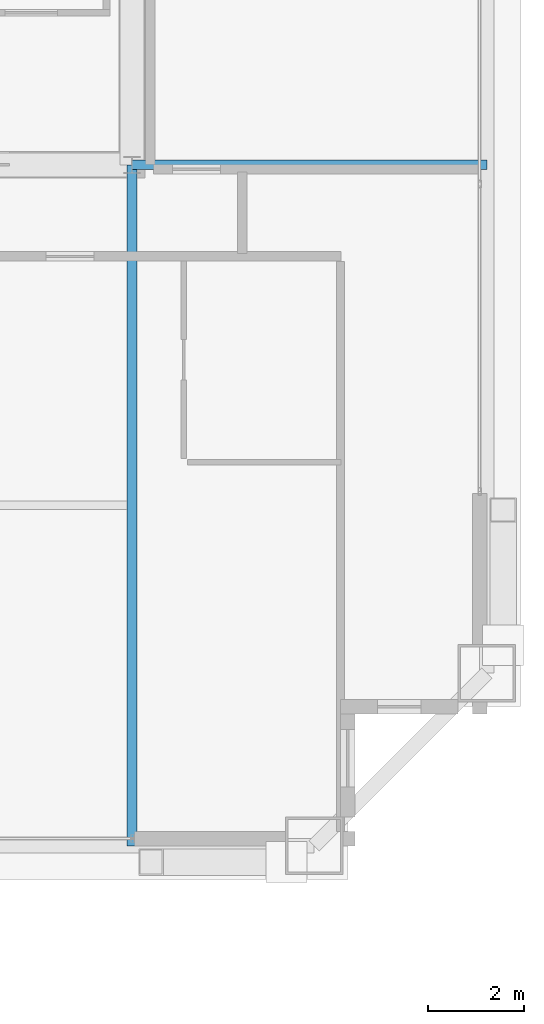
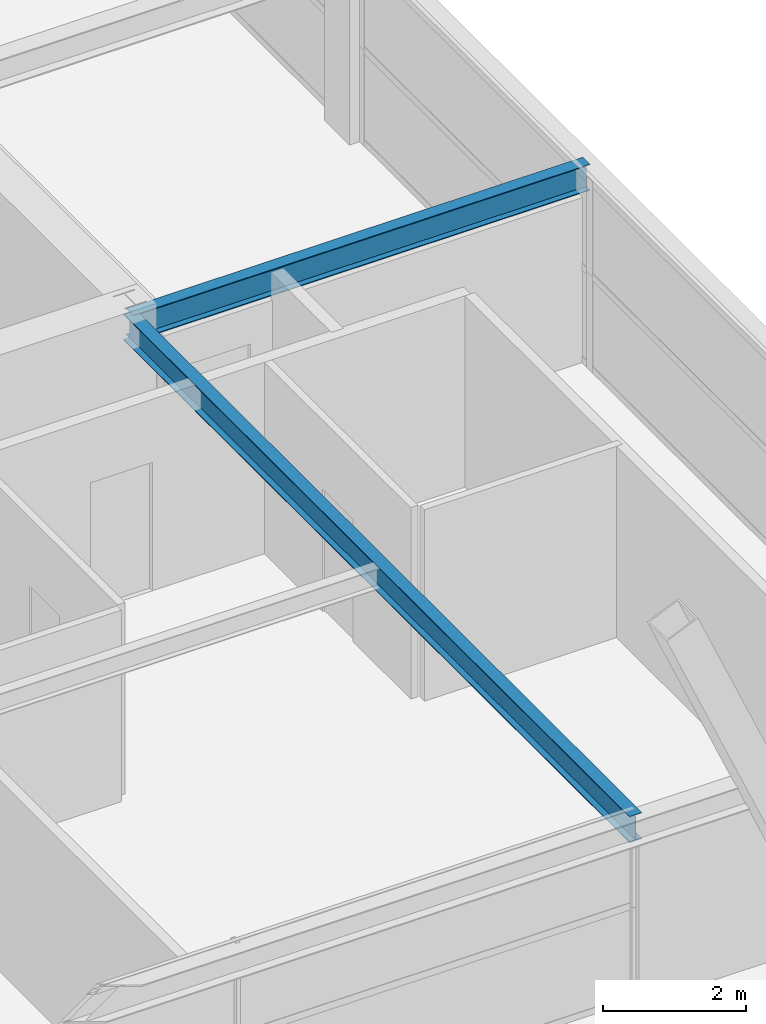
# One storey, part 15 of 35: 2 beams.
"""IFC4 building model written with IfcOpenShell, lengths in metres."""

from ifc_helpers import new_model, si_unit, direction, frame, origin, origin_2d, place, context, subcontext, project, spatial, i_section, extrude, source, transform, mapped, material, material_profile, profile_set, type_object, element, save


model = new_model("IFC4")

# Units and contexts
model_context = context("Model", 3, precision=1e-05, world=origin(), true_north=direction((0.0, 1.0)))
body_context = subcontext(model_context, "Body", "Model", "MODEL_VIEW")
ifc_project = project(units=[si_unit("LENGTHUNIT", "METRE"), si_unit("AREAUNIT", "SQUARE_METRE"), si_unit("VOLUMEUNIT", "CUBIC_METRE"), si_unit("PLANEANGLEUNIT", "RADIAN"), si_unit("MASSUNIT", "GRAM", prefix="KILO"), si_unit("THERMODYNAMICTEMPERATUREUNIT", "KELVIN"), si_unit("POWERUNIT", "WATT")], contexts=[model_context])

# Site, building, storey
site_placement = place(None, origin())
site = spatial("IfcSite", under=ifc_project, at=site_placement, CompositionType="ELEMENT")
building_placement = place(site_placement, origin())
building = spatial("IfcBuilding", under=site, at=building_placement, Name="Yuzanri Waterfront Tower", CompositionType="ELEMENT")
storey_placement = place(building_placement, frame((0.0, 0.0, 271.60009765625)))
storey = spatial("IfcBuildingStorey", under=building, at=storey_placement, Name="L72", CompositionType="ELEMENT", Elevation=271.60009765625)

# Beams
ifc_material = material(Name="Steel Q355B", Category="steel")
ifc_material_profile = material_profile(ifc_material, i_section(OverallWidth=0.199951171875, OverallDepth=0.449951171875, WebThickness=0.009033203125, FlangeThickness=0.013916015625, at=origin_2d()), Name="HN 450x200x9x14")
ifc_profile_set = profile_set([ifc_material_profile], Name="Steel Q355B")
beam_type = type_object("IfcBeamType", Name="Secondary Floor Beam Q355B HN 450x200", PredefinedType="BEAM", material=ifc_profile_set)
shared_shape_1 = source(origin(), body_context, "Body", "SweptSolid", [
    extrude(i_section(OverallWidth=0.199951171875, OverallDepth=0.449951171875, WebThickness=0.009033203125, FlangeThickness=0.013916015625, at=origin_2d()), origin(), (0.0, 0.0, 1.0), 14.199951171875),
])
beam_1_placement = place(storey_placement, frame((50.199951171875, 19.39990234375, 3.054931640625), z_axis=(0.0, -1.0, 0.0), x_axis=(1.0, 0.0, 0.0)))
element("IfcBeam", 1, at=beam_1_placement, inside=storey, type_object=beam_type, Name="L72 South-East Core Line Beam", PredefinedType="BEAM", context=body_context, shape_type="MappedRepresentation", body=[
    mapped(shared_shape_1, transform((0.0, 0.0, 0.0), scale=1.0)),
])
shared_shape_2 = source(origin(), body_context, "Body", "SweptSolid", [
    extrude(i_section(OverallWidth=0.199951171875, OverallDepth=0.449951171875, WebThickness=0.009033203125, FlangeThickness=0.013916015625, at=origin_2d()), origin(), (0.0, 0.0, 1.0), 7.400146484375),
])
beam_2_placement = place(storey_placement, frame((50.199951171875, 19.39990234375, 3.054931640625), z_axis=(1.0, 0.0, 0.0), x_axis=(0.0, 1.0, 0.0)))
element("IfcBeam", 2, at=beam_2_placement, inside=storey, type_object=beam_type, Name="L72 East-South Core Line Beam", PredefinedType="BEAM", context=body_context, shape_type="MappedRepresentation", body=[
    mapped(shared_shape_2, transform((0.0, 0.0, 0.0), scale=1.0)),
])

save(model, "model.ifc")
